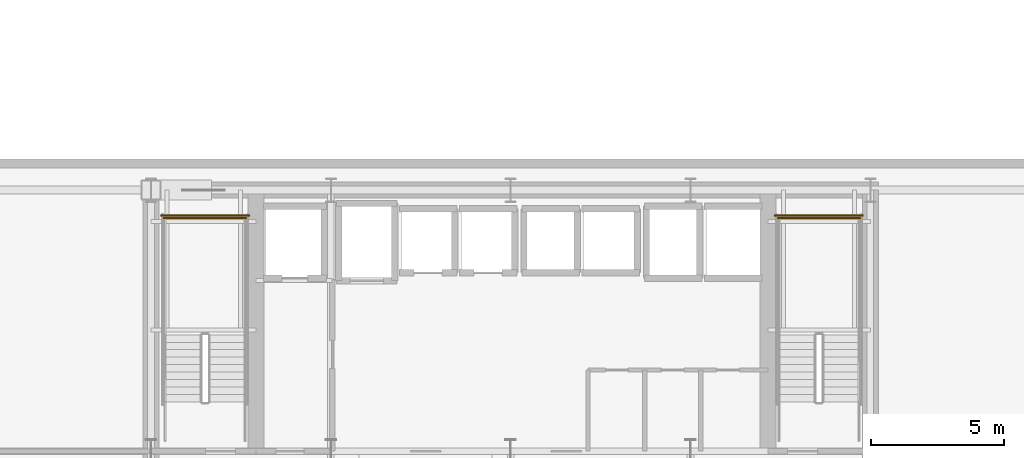
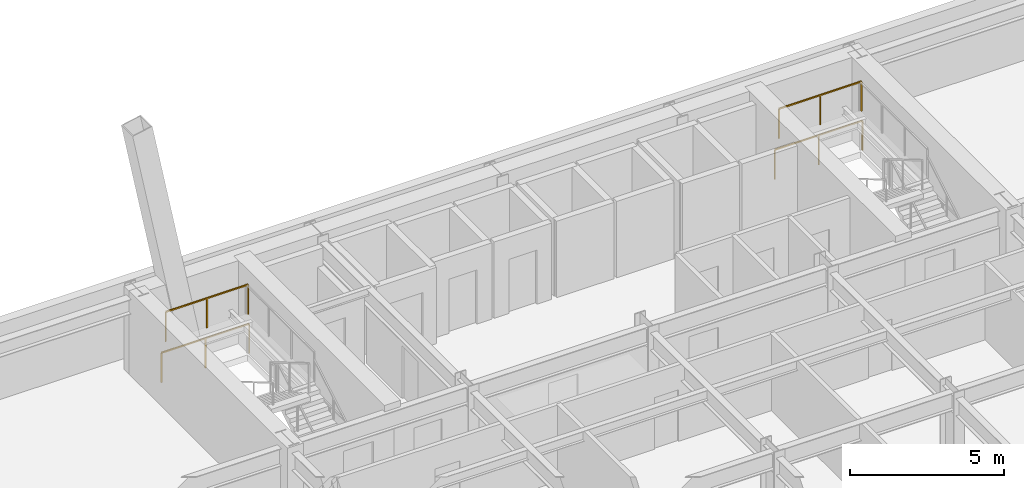
# One storey, part 14 of 18: 4 railings.
"""IFC4 building model written with IfcOpenShell, lengths in metres."""

from ifc_helpers import new_model, si_unit, direction, frame, origin, origin_2d, place, context, subcontext, project, spatial, rectangle, extrude, material, type_object, element, save


model = new_model("IFC4")

# Units and contexts
model_context = context("Model", 3, precision=1e-05, world=origin(), true_north=direction((0.0, 1.0)))
body_context = subcontext(model_context, "Body", "Model", "MODEL_VIEW")
ifc_project = project(units=[si_unit("LENGTHUNIT", "METRE"), si_unit("AREAUNIT", "SQUARE_METRE"), si_unit("VOLUMEUNIT", "CUBIC_METRE"), si_unit("PLANEANGLEUNIT", "RADIAN"), si_unit("MASSUNIT", "GRAM", prefix="KILO")], contexts=[model_context])

# Site, building, storey
site_placement = place(None, origin())
site = spatial("IfcSite", under=ifc_project, at=site_placement, CompositionType="ELEMENT")
building_placement = place(site_placement, origin())
building = spatial("IfcBuilding", under=site, at=building_placement, Name="Haevon Station Towers", CompositionType="ELEMENT")
storey_placement = place(building_placement, frame((0.0, 0.0, 60.300048828125)))
storey = spatial("IfcBuildingStorey", under=building, at=storey_placement, Name="L15", CompositionType="ELEMENT", Elevation=60.300048828125)

# Railings
ifc_material = material(Name="Steel S355", Category="steel")
railing_type = type_object("IfcRailingType", Name="GRD-STR1200", PredefinedType="GUARDRAIL", material=ifc_material)
railing_1_placement = place(storey_placement, frame((27.580078125, 46.949951171875, 1.64990234375)))
element("IfcRailing", 1, at=railing_1_placement, inside=storey, type_object=railing_type, Name="L15 ST1 Stair Guard 5", PredefinedType="GUARDRAIL", context=body_context, shape_type="SweptSolid", body=[
    extrude(rectangle(XDim=0.048095703125, YDim=0.048095703125, at=origin_2d()), frame((0.0, 0.0, 1.17578125), z_axis=(-1.0, 0.0, 0.0), x_axis=(0.0, -1.0, 0.0)), (0.0, 0.0, 1.0), 3.10009765625),
    extrude(rectangle(XDim=0.0419921875, YDim=0.0419921875, at=origin_2d()), origin(), (0.0, 0.0, 1.0), 1.15185546875),
    extrude(rectangle(XDim=0.0419921875, YDim=0.0419921875, at=origin_2d()), frame((-1.550048828125, 0.0, 0.0)), (0.0, 0.0, 1.0), 1.15185546875),
    extrude(rectangle(XDim=0.0419921875, YDim=0.0419921875, at=origin_2d()), frame((-3.10009765625, 0.0, 0.0)), (0.0, 0.0, 1.0), 1.15185546875),
])
railing_2_placement = place(storey_placement, frame((27.679931640625, 47.050048828125, 0.0)))
element("IfcRailing", 2, at=railing_2_placement, inside=storey, type_object=railing_type, Name="L15 ST1 Stair Guard 12", PredefinedType="GUARDRAIL", context=body_context, shape_type="SweptSolid", body=[
    extrude(rectangle(XDim=0.048095703125, YDim=0.048095703125, at=origin_2d()), frame((0.0, 0.0, 1.17578125), z_axis=(-1.0, 0.0, 0.0), x_axis=(0.0, -1.0, 0.0)), (0.0, 0.0, 1.0), 3.300048828125),
    extrude(rectangle(XDim=0.0419921875, YDim=0.0419921875, at=origin_2d()), origin(), (0.0, 0.0, 1.0), 1.15185546875),
    extrude(rectangle(XDim=0.0419921875, YDim=0.0419921875, at=origin_2d()), frame((-1.64990234375, 0.0, 0.0)), (0.0, 0.0, 1.0), 1.15185546875),
    extrude(rectangle(XDim=0.0419921875, YDim=0.0419921875, at=origin_2d()), frame((-3.300048828125, 0.0, 0.0)), (0.0, 0.0, 1.0), 1.15185546875),
])
railing_3_placement = place(storey_placement, frame((50.6201171875, 46.949951171875, 1.64990234375)))
element("IfcRailing", 3, at=railing_3_placement, inside=storey, type_object=railing_type, Name="L15 ST2 Stair Guard 5", PredefinedType="GUARDRAIL", context=body_context, shape_type="SweptSolid", body=[
    extrude(rectangle(XDim=0.048095703125, YDim=0.048095703125, at=origin_2d()), frame((0.0, 0.0, 1.17578125), z_axis=(-1.0, 0.0, 0.0), x_axis=(0.0, -1.0, 0.0)), (0.0, 0.0, 1.0), 3.10009765625),
    extrude(rectangle(XDim=0.0419921875, YDim=0.0419921875, at=origin_2d()), origin(), (0.0, 0.0, 1.0), 1.15185546875),
    extrude(rectangle(XDim=0.0419921875, YDim=0.0419921875, at=origin_2d()), frame((-1.550048828125, 0.0, 0.0)), (0.0, 0.0, 1.0), 1.15185546875),
    extrude(rectangle(XDim=0.0419921875, YDim=0.0419921875, at=origin_2d()), frame((-3.10009765625, 0.0, 0.0)), (0.0, 0.0, 1.0), 1.15185546875),
])
railing_4_placement = place(storey_placement, frame((50.719970703125, 47.050048828125, 0.0)))
element("IfcRailing", 4, at=railing_4_placement, inside=storey, type_object=railing_type, Name="L15 ST2 Stair Guard 12", PredefinedType="GUARDRAIL", context=body_context, shape_type="SweptSolid", body=[
    extrude(rectangle(XDim=0.048095703125, YDim=0.048095703125, at=origin_2d()), frame((0.0, 0.0, 1.17578125), z_axis=(-1.0, 0.0, 0.0), x_axis=(0.0, -1.0, 0.0)), (0.0, 0.0, 1.0), 3.300048828125),
    extrude(rectangle(XDim=0.0419921875, YDim=0.0419921875, at=origin_2d()), origin(), (0.0, 0.0, 1.0), 1.15185546875),
    extrude(rectangle(XDim=0.0419921875, YDim=0.0419921875, at=origin_2d()), frame((-1.64990234375, 0.0, 0.0)), (0.0, 0.0, 1.0), 1.15185546875),
    extrude(rectangle(XDim=0.0419921875, YDim=0.0419921875, at=origin_2d()), frame((-3.300048828125, 0.0, 0.0)), (0.0, 0.0, 1.0), 1.15185546875),
])

save(model, "model.ifc")
